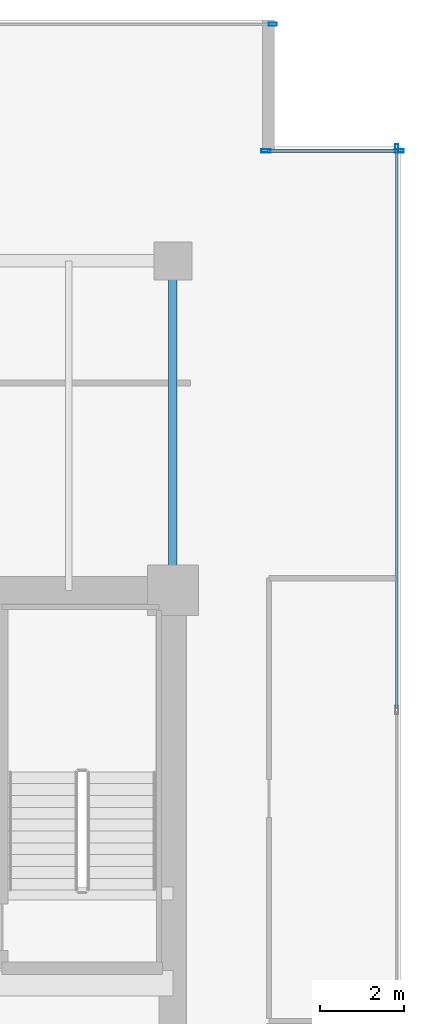
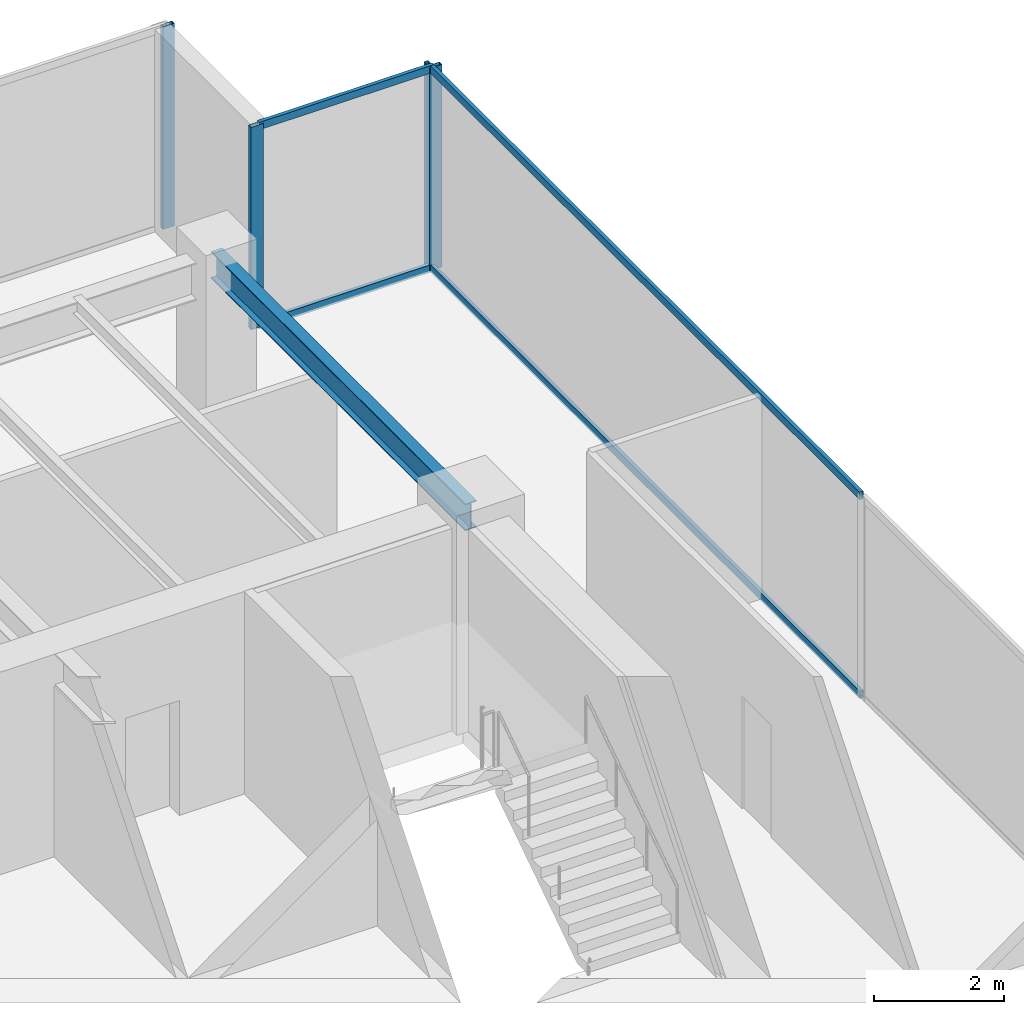
# One storey, part 23 of 30: 8 members, 1 beam, 3 elements without a shape of their own.
"""IFC4 building model written with IfcOpenShell, lengths in metres."""

import ifcopenshell
import ifcopenshell.guid

model = None  # the IFC model being written
_history = None  # IfcOwnerHistory: only IFC2X3 demands one
_inside = {}  # id of a spatial element -> (the spatial element, [elements in it])
_under = {}  # id of a project, library or spatial element -> (it, [spatial elements below it])
_declared = {}  # id of a project -> (the project, [libraries it declares])
_typed = {}  # id of a type object -> (the type object, [elements of that type])
_made_of = {}  # id of a material, layer set ... -> (it, [elements and type objects made of it])


def new_model(schema):
    """Start an empty IFC model of exactly this schema.

    Asked for "IFC4X3", IfcOpenShell would pick the latest addendum, in which some entities
    have other attributes; the version numbers below select the first issue.
    IFC2X3 requires an IfcOwnerHistory on every rooted entity: one is made here for all.
    """
    global model, _history
    if schema == "IFC4X3":
        model = ifcopenshell.file(schema_version=(4, 3, 0, 0))
    else:
        model = ifcopenshell.file(schema=schema)
    _inside.clear()
    _under.clear()
    _declared.clear()
    _typed.clear()
    _made_of.clear()
    _history = None
    if model.schema == "IFC2X3":
        org = make("IfcOrganization", Name="unknown")
        user = make(
            "IfcPersonAndOrganization",
            ThePerson=make("IfcPerson", FamilyName="unknown"),
            TheOrganization=org,
        )
        app = make(
            "IfcApplication",
            ApplicationDeveloper=org,
            Version="unknown",
            ApplicationFullName="unknown",
            ApplicationIdentifier="unknown",
        )
        _history = make(
            "IfcOwnerHistory",
            OwningUser=user,
            OwningApplication=app,
            ChangeAction="ADDED",
            CreationDate=0,
        )
    return model


def make(cls, **values):
    """One entity of the class cls with the attributes given. An attribute that is None is left unset."""
    return model.create_entity(
        cls, **{name: value for name, value in values.items() if value is not None}
    )


def rooted(cls, **values):
    """An entity with a GlobalId (a new one), such as an element, a storey or a relation."""
    return make(cls, GlobalId=ifcopenshell.guid.new(), OwnerHistory=_history, **values)


def si_unit(unit_type, name, prefix=None):
    """IfcSIUnit, for example si_unit("LENGTHUNIT", "METRE", prefix="MILLI")."""
    return make("IfcSIUnit", UnitType=unit_type, Prefix=prefix, Name=name)


def assignment(units):
    """IfcUnitAssignment: the units of a project."""
    return None if units is None else make("IfcUnitAssignment", Units=units)


def point(xyz):
    """IfcCartesianPoint."""
    return None if xyz is None else make("IfcCartesianPoint", Coordinates=xyz)


def direction(xyz):
    """IfcDirection."""
    return None if xyz is None else make("IfcDirection", DirectionRatios=xyz)


def frame(location, z_axis=None, x_axis=None):
    """IfcAxis2Placement3D, a coordinate frame: its origin and axes. An axis left out is left unset."""
    return make(
        "IfcAxis2Placement3D",
        Location=point(location),
        Axis=direction(z_axis),
        RefDirection=direction(x_axis),
    )


def frame_2d(location, x_axis=None):
    """IfcAxis2Placement2D, a coordinate frame in the plane: its origin and x axis."""
    return make(
        "IfcAxis2Placement2D", Location=point(location), RefDirection=direction(x_axis)
    )


def origin():
    """The frame at (0, 0, 0) with its axes left unset."""
    return frame((0.0, 0.0, 0.0))


def origin_2d():
    """The frame at (0, 0) in the plane with its x axis left unset."""
    return frame_2d((0.0, 0.0))


def place(relative_to, where):
    """IfcLocalPlacement: puts the frame where relative to a parent placement (None: the world)."""
    return make(
        "IfcLocalPlacement", PlacementRelTo=relative_to, RelativePlacement=where
    )


def context(
    kind, dimensions, precision=None, world=None, true_north=None, identifier=None
):
    """IfcGeometricRepresentationContext, for example the 3D "Model" context."""
    return make(
        "IfcGeometricRepresentationContext",
        ContextIdentifier=identifier,
        ContextType=kind,
        CoordinateSpaceDimension=dimensions,
        Precision=precision,
        WorldCoordinateSystem=world,
        TrueNorth=true_north,
    )


def subcontext(parent, identifier, kind, view, scale=None):
    """IfcGeometricRepresentationSubContext, for example "Body" below "Model"."""
    return make(
        "IfcGeometricRepresentationSubContext",
        ContextIdentifier=identifier,
        ContextType=kind,
        ParentContext=parent,
        TargetScale=scale,
        TargetView=view,
    )


def project(units=None, contexts=None):
    """IfcProject with its units and contexts."""
    return rooted(
        "IfcProject",
        Name="project",
        RepresentationContexts=contexts,
        UnitsInContext=assignment(units),
    )


def spatial(cls, under=None, at=None, **own):
    """A site, building, storey or space (cls), placed at a placement, below another one or the project."""
    s = rooted(cls, ObjectPlacement=at, **own)
    if under is not None:
        _under.setdefault(under.id(), (under, []))[1].append(s)
    return s


def profile(cls, at=None, kind="AREA", **sizes):
    """A parametric profile (cls). Its sizes go by their IFC names, for example OverallWidth=200.0."""
    return make(cls, ProfileType=kind, Position=at, **sizes)


def hollow_rectangle(**sizes):
    """IfcRectangleHollowProfileDef."""
    return profile("IfcRectangleHollowProfileDef", **sizes)


def i_section(**sizes):
    """IfcIShapeProfileDef."""
    return profile("IfcIShapeProfileDef", **sizes)


def extrude(swept, where, along, depth):
    """IfcExtrudedAreaSolid: the profile swept, set in the frame where, extruded along a direction by depth."""
    return make(
        "IfcExtrudedAreaSolid",
        SweptArea=swept,
        Position=where,
        ExtrudedDirection=direction(along),
        Depth=depth,
    )


def shape(context_of_items, identifier, shape_type, items):
    """IfcShapeRepresentation: the items that make up one representation, for example the "Body"."""
    return make(
        "IfcShapeRepresentation",
        ContextOfItems=context_of_items,
        RepresentationIdentifier=identifier,
        RepresentationType=shape_type,
        Items=items,
    )


def source(mapping_origin, context_of_items, identifier, shape_type, items):
    """IfcRepresentationMap: a shape defined once, which mapped items show again and again."""
    return make(
        "IfcRepresentationMap",
        MappingOrigin=mapping_origin,
        MappedRepresentation=shape(context_of_items, identifier, shape_type, items),
    )


def transform(
    local_origin,
    x_axis=None,
    y_axis=None,
    z_axis=None,
    scale=None,
    scale2=None,
    scale3=None,
    uniform=True,
):
    """IfcCartesianTransformationOperator3D, or its non-uniform kind. x_axis, y_axis, z_axis: its Axis1, 2, 3."""
    if uniform:
        return make(
            "IfcCartesianTransformationOperator3D",
            Axis1=direction(x_axis),
            Axis2=direction(y_axis),
            LocalOrigin=point(local_origin),
            Scale=scale,
            Axis3=direction(z_axis),
        )
    return make(
        "IfcCartesianTransformationOperator3DnonUniform",
        Axis1=direction(x_axis),
        Axis2=direction(y_axis),
        LocalOrigin=point(local_origin),
        Scale=scale,
        Axis3=direction(z_axis),
        Scale2=scale2,
        Scale3=scale3,
    )


def mapped(mapping_source, mapping_target):
    """IfcMappedItem: shows the shape of a source again, moved by a transform."""
    return make(
        "IfcMappedItem", MappingSource=mapping_source, MappingTarget=mapping_target
    )


def material(Name=None, Category=None):
    """IfcMaterial."""
    return make("IfcMaterial", Name=Name, Category=Category)


def layer(
    of_material, thickness, ventilated=None, Name=None, Category=None, Priority=None
):
    """IfcMaterialLayer: one layer of a wall or slab, of a material (None: an air gap)."""
    return make(
        "IfcMaterialLayer",
        Material=of_material,
        LayerThickness=thickness,
        IsVentilated=ventilated,
        Name=Name,
        Category=Category,
        Priority=Priority,
    )


def layer_set(layers, Name=None):
    """IfcMaterialLayerSet."""
    return make("IfcMaterialLayerSet", MaterialLayers=layers, LayerSetName=Name)


def material_profile(
    of_material, cross_section, Name=None, Category=None, Priority=None
):
    """IfcMaterialProfile: a cross section and its material."""
    return make(
        "IfcMaterialProfile",
        Name=Name,
        Material=of_material,
        Profile=cross_section,
        Priority=Priority,
        Category=Category,
    )


def profile_set(profiles, Name=None, composite=None):
    """IfcMaterialProfileSet."""
    return make(
        "IfcMaterialProfileSet",
        Name=Name,
        MaterialProfiles=profiles,
        CompositeProfile=composite,
    )


def made_of(thing, what):
    """Note that an element or type object is made of a material, layer set ...; save() writes the relation."""
    if what is not None:
        _made_of.setdefault(what.id(), (what, []))[1].append(thing)
    return thing


def type_object(cls, material=None, **own):
    """A type object (cls), such as IfcWallType, which elements share."""
    return made_of(rooted(cls, **own), material)


def type_shapes(of_type, sources):
    """Give a type object the sources (RepresentationMaps) that its elements show as mapped items."""
    of_type.RepresentationMaps = sources


def element(
    cls,
    number,
    at=None,
    inside=None,
    cuts=None,
    type_object=None,
    material=None,
    context=None,
    identifier="Body",
    shape_type=None,
    held_by="IfcProductDefinitionShape",
    body=None,
    shapes=None,
    **own,
):
    """One element of the class cls, such as IfcWall. Its Tag is "e" and its number.

    at: its placement. inside: the storey or other place that contains it. cuts: it is an
    opening in that element (IfcRelVoidsElement). A single representation is given by context,
    identifier, shape_type and body (its items); several are given by shapes. held_by: the class
    of the entity that holds the representations. save() writes the other relations.
    """
    e = rooted(cls, Tag="e%d" % number, ObjectPlacement=at, **own)
    if body is not None:
        shapes = [shape(context, identifier, shape_type, body)]
    if shapes is not None:
        e.Representation = make(held_by, Representations=shapes)
    if inside is not None:
        _inside.setdefault(inside.id(), (inside, []))[1].append(e)
    if cuts is not None:
        rooted(
            "IfcRelVoidsElement", RelatingBuildingElement=cuts, RelatedOpeningElement=e
        )
    if type_object is not None:
        _typed.setdefault(type_object.id(), (type_object, []))[1].append(e)
    return made_of(e, material)


def aggregate(whole, parts):
    """IfcRelAggregates: a whole, such as a stair, and the parts it consists of."""
    return rooted("IfcRelAggregates", RelatingObject=whole, RelatedObjects=parts)


def save(model, path):
    """Write the relations noted so far, then the file.

    IfcRelAggregates (storeys below a building ...), IfcRelContainedInSpatialStructure (elements
    in a storey), IfcRelDefinesByType, IfcRelAssociatesMaterial and IfcRelDeclares: one each for
    every whole, place, type object, material and project.
    """
    for whole, parts in _under.values():
        aggregate(whole, parts)
    for where, things in _inside.values():
        rooted(
            "IfcRelContainedInSpatialStructure",
            RelatedElements=things,
            RelatingStructure=where,
        )
    for kind, things in _typed.values():
        rooted("IfcRelDefinesByType", RelatedObjects=things, RelatingType=kind)
    for what, things in _made_of.values():
        rooted("IfcRelAssociatesMaterial", RelatedObjects=things, RelatingMaterial=what)
    for by, libraries in _declared.values():
        rooted("IfcRelDeclares", RelatingContext=by, RelatedDefinitions=libraries)
    model.write(path)


model = new_model("IFC4")

# Units and contexts
model_context = context("Model", 3, precision=1e-05, world=origin(), true_north=direction((0.0, 1.0)))
body_context = subcontext(model_context, "Body", "Model", "MODEL_VIEW")
ifc_project = project(units=[si_unit("LENGTHUNIT", "METRE"), si_unit("AREAUNIT", "SQUARE_METRE"), si_unit("VOLUMEUNIT", "CUBIC_METRE"), si_unit("PLANEANGLEUNIT", "RADIAN"), si_unit("MASSUNIT", "GRAM", prefix="KILO")], contexts=[model_context])

# Site, building, storey
site_placement = place(None, origin())
site = spatial("IfcSite", under=ifc_project, at=site_placement, CompositionType="ELEMENT")
building_placement = place(site_placement, origin())
building = spatial("IfcBuilding", under=site, at=building_placement, Name="Haelvirn Gate Laboratories", CompositionType="ELEMENT")
storey_placement = place(building_placement, frame((0.0, 0.0, 183.0)))
storey = spatial("IfcBuildingStorey", under=building, at=storey_placement, Name="L44", CompositionType="ELEMENT", Elevation=183.0)

# Beam
ifc_material_1 = material(Name="Steel SM355", Category="steel")
ifc_material_profile_1 = material_profile(ifc_material_1, i_section(OverallWidth=0.199951171875, OverallDepth=0.5, WebThickness=0.010009765625, FlangeThickness=0.01611328125, at=origin_2d()), Name="H-500x200x10x16")
ifc_profile_set_1 = profile_set([ifc_material_profile_1], Name="Steel SM355")
beam_type = type_object("IfcBeamType", Name="BM-SP-500", PredefinedType="SPANDREL", material=ifc_profile_set_1)
shared_shape_1 = source(origin(), body_context, "Body", "SweptSolid", [
    extrude(i_section(OverallWidth=0.199951171875, OverallDepth=0.5, WebThickness=0.010009765625, FlangeThickness=0.01611328125, at=origin_2d()), origin(), (0.0, 0.0, 1.0), 7.800048828125),
])
type_shapes(beam_type, [shared_shape_1])
beam_placement = place(storey_placement, frame((67.39990234375, 33.800048828125, 3.5400390625), z_axis=(0.0, 1.0, 0.0), x_axis=(-1.0, 0.0, 0.0)))
element("IfcBeam", 1, at=beam_placement, inside=storey, type_object=beam_type, Name="L44 Perimeter Spandrel X67.4 (33.8-41.6)", PredefinedType="SPANDREL", context=body_context, shape_type="MappedRepresentation", body=[
    mapped(shared_shape_1, transform((0.0, 0.0, 0.0), scale=1.0)),
])

# Curtain wall, members
ifc_material_2 = material(Name="Anodised bronze unitised aluminium & triple low-E glass", Category="aluminium")
ifc_layer_1 = layer(ifc_material_2, 0.181884765625, Name="CW-SYS-5")
ifc_layer_set_1 = layer_set([ifc_layer_1], Name="Anodised bronze unitised aluminium & triple low-E glass")
curtain_wall_type_1 = type_object("IfcCurtainWallType", Name="CW-SYS-5", PredefinedType="NOTDEFINED", material=ifc_layer_set_1)
curtain_wall_1_placement = place(storey_placement, origin())
curtain_wall_1 = element("IfcCurtainWall", 2, at=curtain_wall_1_placement, inside=storey, type_object=curtain_wall_type_1, Name="L44 Unitised Curtain Wall CW-L44-P0-E08-1", PredefinedType="NOTDEFINED")
ifc_material_3 = material(Name="Extruded aluminium 6063-T6 (anodised bronze)", Category="aluminium")
ifc_material_profile_2 = material_profile(ifc_material_3, hollow_rectangle(XDim=0.06494140625, YDim=0.139892578125, WallThickness=0.00390625, at=origin_2d()), Name="CWT-140x65x4")
ifc_profile_set_2 = profile_set([ifc_material_profile_2], Name="Extruded aluminium 6063-T6 (anodised bronze)")
member_type_1 = type_object("IfcMemberType", Name="CWT-T140", PredefinedType="USERDEFINED", material=ifc_profile_set_2)
shared_shape_2 = source(origin(), body_context, "Body", "SweptSolid", [
    extrude(hollow_rectangle(XDim=0.06494140625, YDim=0.139892578125, WallThickness=0.00390625, at=origin_2d()), origin(), (0.0, 0.0, 1.0), 3.080078125),
])
member_1_placement = place(storey_placement, frame((69.639892578125, 44.199951171875, 0.032470703125), z_axis=(1.0, 0.0, 0.0), x_axis=(0.0, 1.0, 0.0)))
member_1 = element("IfcMember", 3, at=member_1_placement, type_object=member_type_1, Name="CW5 transom 1.1", ObjectType="TRANSOM", PredefinedType="USERDEFINED", context=body_context, shape_type="MappedRepresentation", body=[
    mapped(shared_shape_2, transform((0.0, 0.0, 0.0), scale=1.0)),
])
member_2_placement = place(storey_placement, frame((69.639892578125, 44.199951171875, 3.757568359375), z_axis=(1.0, 0.0, 0.0), x_axis=(0.0, 1.0, 0.0)))
member_2 = element("IfcMember", 4, at=member_2_placement, type_object=member_type_1, Name="CW5 transom 1.2", ObjectType="TRANSOM", PredefinedType="USERDEFINED", context=body_context, shape_type="MappedRepresentation", body=[
    mapped(shared_shape_2, transform((0.0, 0.0, 0.0), scale=1.0)),
])

ifc_layer_2 = layer(ifc_material_2, 0.179931640625, Name="CW-SYS-3")
ifc_layer_set_2 = layer_set([ifc_layer_2], Name="Anodised bronze unitised aluminium & triple low-E glass")
curtain_wall_type_2 = type_object("IfcCurtainWallType", Name="CW-SYS-3", PredefinedType="NOTDEFINED", material=ifc_layer_set_2)
curtain_wall_2_placement = place(storey_placement, origin())
curtain_wall_2 = element("IfcCurtainWall", 5, at=curtain_wall_2_placement, inside=storey, type_object=curtain_wall_type_2, Name="L44 Unitised Curtain Wall CW-L44-P0-E07", PredefinedType="NOTDEFINED")
shared_shape_3 = source(origin(), body_context, "Body", "SweptSolid", [
    extrude(hollow_rectangle(XDim=0.06494140625, YDim=0.139892578125, WallThickness=0.00390625, at=origin_2d()), origin(), (0.0, 0.0, 1.0), 13.220947265625),
])
type_shapes(member_type_1, [shared_shape_2, shared_shape_3])
member_3_placement = place(storey_placement, frame((72.699951171875, 31.004150390625, 0.032470703125), z_axis=(0.0, 1.0, 0.0), x_axis=(-1.0, 0.0, 0.0)))
member_3 = element("IfcMember", 6, at=member_3_placement, type_object=member_type_1, Name="CW3 transom 3.1", ObjectType="TRANSOM", PredefinedType="USERDEFINED", context=body_context, shape_type="MappedRepresentation", body=[
    mapped(shared_shape_3, transform((0.0, 0.0, 0.0), scale=1.0)),
])
member_4_placement = place(storey_placement, frame((72.699951171875, 31.004150390625, 3.757568359375), z_axis=(0.0, 1.0, 0.0), x_axis=(-1.0, 0.0, 0.0)))
member_4 = element("IfcMember", 7, at=member_4_placement, type_object=member_type_1, Name="CW3 transom 3.2", ObjectType="TRANSOM", PredefinedType="USERDEFINED", context=body_context, shape_type="MappedRepresentation", body=[
    mapped(shared_shape_3, transform((0.0, 0.0, 0.0), scale=1.0)),
])
ifc_material_profile_3 = material_profile(ifc_material_3, hollow_rectangle(XDim=0.074951171875, YDim=0.199951171875, WallThickness=0.0048828125, at=origin_2d()), Name="CWM-200x75x5")
ifc_profile_set_3 = profile_set([ifc_material_profile_3], Name="Extruded aluminium 6063-T6 (anodised bronze)")
member_type_2 = type_object("IfcMemberType", Name="CWM-T200", PredefinedType="MULLION", material=ifc_profile_set_3)
shared_shape_4 = source(origin(), body_context, "Body", "SweptSolid", [
    extrude(hollow_rectangle(XDim=0.074951171875, YDim=0.199951171875, WallThickness=0.0048828125, at=origin_2d()), origin(), (0.0, 0.0, 1.0), 3.7900390625),
])
type_shapes(member_type_2, [shared_shape_4])
member_5_placement = place(storey_placement, frame((72.699951171875, 44.262451171875, 0.0), z_axis=(0.0, 0.0, 1.0), x_axis=(-1.0, 0.0, 0.0)))
member_5 = element("IfcMember", 8, at=member_5_placement, type_object=member_type_2, Name="CW3 mullion 4", PredefinedType="MULLION", context=body_context, shape_type="MappedRepresentation", body=[
    mapped(shared_shape_4, transform((0.0, 0.0, 0.0), scale=1.0)),
])
aggregate(curtain_wall_2, [member_5, member_3, member_4])

# Curtain wall, member
curtain_wall_3_placement = place(storey_placement, origin())
curtain_wall_3 = element("IfcCurtainWall", 9, at=curtain_wall_3_placement, inside=storey, type_object=curtain_wall_type_2, Name="L44 Unitised Curtain Wall CW-L44-P0-E10-1", PredefinedType="NOTDEFINED")
member_6_placement = place(storey_placement, frame((69.762451171875, 47.199951171875, 0.0), z_axis=(0.0, 0.0, 1.0), x_axis=(0.0, 1.0, 0.0)))
member_6 = element("IfcMember", 10, at=member_6_placement, type_object=member_type_2, Name="CW3 mullion 3", PredefinedType="MULLION", context=body_context, shape_type="MappedRepresentation", body=[
    mapped(shared_shape_4, transform((0.0, 0.0, 0.0), scale=1.0)),
])
aggregate(curtain_wall_3, [member_6])

# Member
ifc_material_profile_4 = material_profile(ifc_material_3, hollow_rectangle(XDim=0.080078125, YDim=0.219970703125, WallThickness=0.006103515625, at=origin_2d()), Name="CWM-220x80x6")
ifc_profile_set_4 = profile_set([ifc_material_profile_4], Name="Extruded aluminium 6063-T6 (anodised bronze)")
member_type_3 = type_object("IfcMemberType", Name="CWM-T220", PredefinedType="MULLION", material=ifc_profile_set_4)
shared_shape_5 = source(origin(), body_context, "Body", "SweptSolid", [
    extrude(hollow_rectangle(XDim=0.080078125, YDim=0.219970703125, WallThickness=0.006103515625, at=origin_2d()), origin(), (0.0, 0.0, 1.0), 3.7900390625),
])
type_shapes(member_type_3, [shared_shape_5])
member_7_placement = place(storey_placement, frame((69.60009765625, 44.199951171875, 0.0), z_axis=(0.0, 0.0, 1.0), x_axis=(0.0, 1.0, 0.0)))
member_7 = element("IfcMember", 11, at=member_7_placement, type_object=member_type_3, Name="CW5 mullion 1", PredefinedType="MULLION", context=body_context, shape_type="MappedRepresentation", body=[
    mapped(shared_shape_5, transform((0.0, 0.0, 0.0), scale=1.0)),
])

member_8_placement = place(storey_placement, frame((72.760009765625, 44.199951171875, 0.0), z_axis=(0.0, 0.0, 1.0), x_axis=(0.0, 1.0, 0.0)))
member_8 = element("IfcMember", 12, at=member_8_placement, type_object=member_type_3, Name="CW5 mullion 2", PredefinedType="MULLION", context=body_context, shape_type="MappedRepresentation", body=[
    mapped(shared_shape_5, transform((0.0, 0.0, 0.0), scale=1.0)),
])

aggregate(curtain_wall_1, [member_7, member_8, member_1, member_2])

save(model, "model.ifc")
